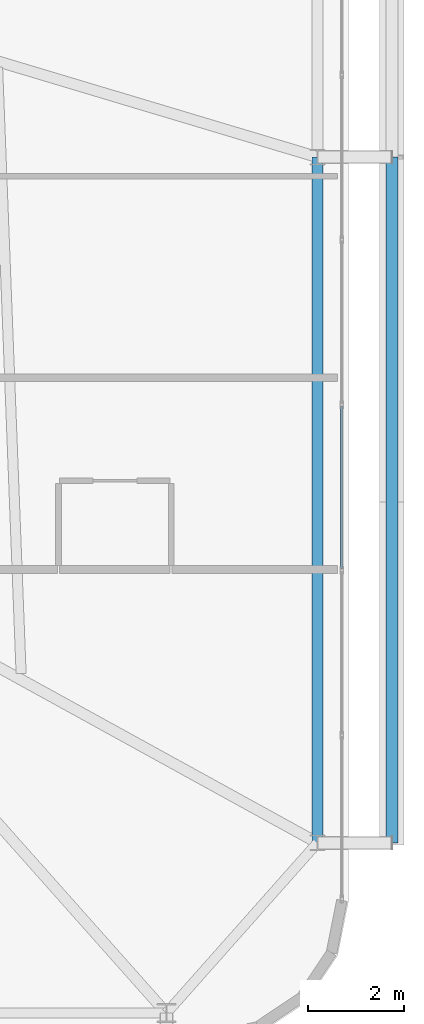
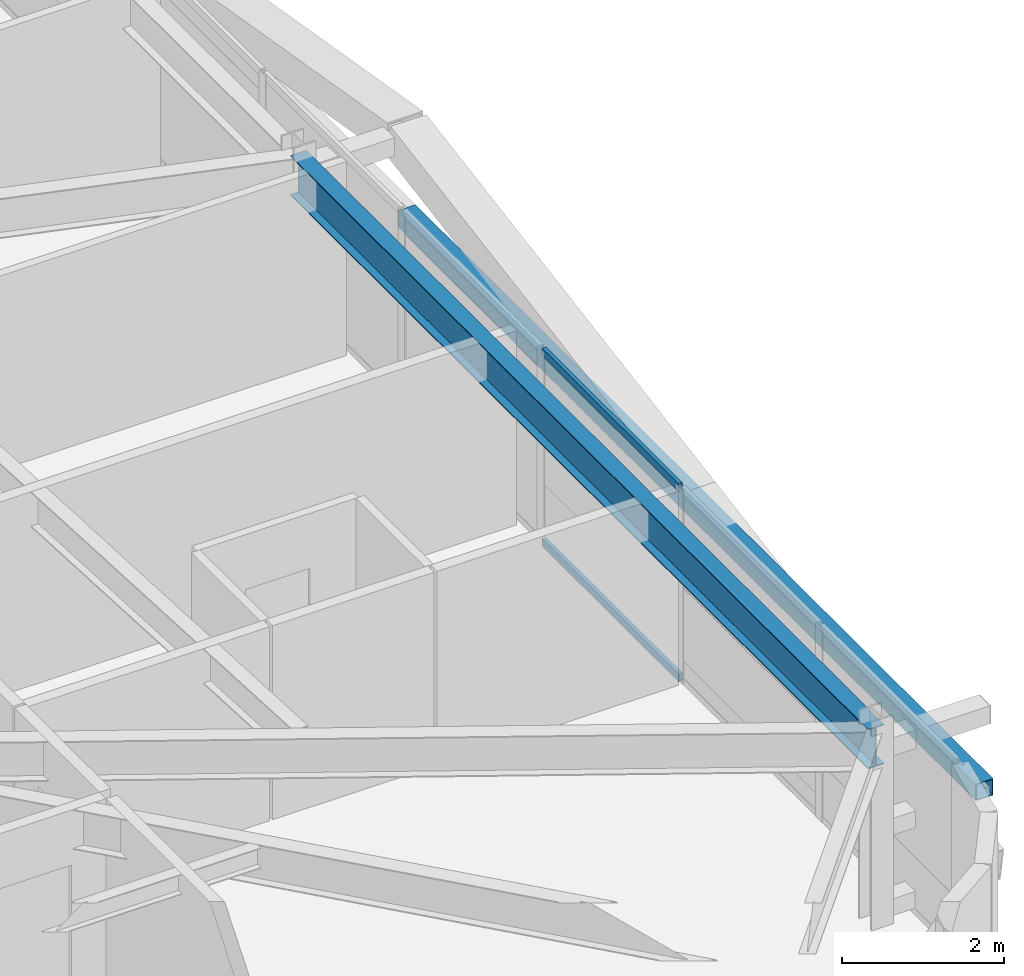
# One storey, part 27 of 59: 3 members, 1 beam, 1 element without a shape of its own.
"""IFC4 building model written with IfcOpenShell, lengths in metres."""

from ifc_helpers import new_model, si_unit, direction, frame, origin, origin_2d, place, context, subcontext, project, spatial, hollow_rectangle, i_section, extrude, source, transform, mapped, material, layer, layer_set, material_profile, profile_set, type_object, element, aggregate, save


model = new_model("IFC4")

# Units and contexts
model_context = context("Model", 3, precision=1e-05, world=origin(), true_north=direction((0.0, 1.0)))
body_context = subcontext(model_context, "Body", "Model", "MODEL_VIEW")
ifc_project = project(units=[si_unit("LENGTHUNIT", "METRE"), si_unit("AREAUNIT", "SQUARE_METRE"), si_unit("VOLUMEUNIT", "CUBIC_METRE"), si_unit("PLANEANGLEUNIT", "RADIAN"), si_unit("MASSUNIT", "GRAM", prefix="KILO")], contexts=[model_context])

# Site, building, storey
site_placement = place(None, origin())
site = spatial("IfcSite", under=ifc_project, at=site_placement, CompositionType="ELEMENT")
building_placement = place(site_placement, origin())
building = spatial("IfcBuilding", under=site, at=building_placement, Name="Taldren Reach Tower", CompositionType="ELEMENT")
storey_placement = place(building_placement, frame((0.0, 0.0, 23.10009765625)))
storey = spatial("IfcBuildingStorey", under=building, at=storey_placement, Name="L06", CompositionType="ELEMENT", Elevation=23.10009765625)

# Beam
ifc_material_1 = material(Name="Steel Gr 350 (350PLUS)", Category="steel")
ifc_material_profile_1 = material_profile(ifc_material_1, i_section(OverallWidth=0.22802734375, OverallDepth=0.60205078125, WebThickness=0.010498046875, FlangeThickness=0.014892578125, at=origin_2d()), Name="610UB101")
ifc_profile_set_1 = profile_set([ifc_material_profile_1], Name="Steel Gr 350 (350PLUS)")
beam_type = type_object("IfcBeamType", Name="BM-UB610B", PredefinedType="BEAM", material=ifc_profile_set_1)
shared_shape_1 = source(origin(), body_context, "Body", "SweptSolid", [
    extrude(i_section(OverallWidth=0.22802734375, OverallDepth=0.60205078125, WebThickness=0.010498046875, FlangeThickness=0.014892578125, at=origin_2d()), origin(), (0.0, 0.0, 1.0), 14.300048828125),
])
beam_placement = place(storey_placement, frame((64.35009765625, 5.699951171875, 2.62890625), z_axis=(0.0, 1.0, 0.0), x_axis=(-1.0, 0.0, 0.0)))
element("IfcBeam", 1, at=beam_placement, inside=storey, type_object=beam_type, Name="Perimeter gable girder B1 E1-E2 L06", PredefinedType="BEAM", context=body_context, shape_type="MappedRepresentation", body=[
    mapped(shared_shape_1, transform((0.0, 0.0, 0.0), scale=1.0)),
])

# Member
ifc_material_2 = material(Name="Steel Gr 350 (C350L0)", Category="steel")
ifc_material_profile_2 = material_profile(ifc_material_2, hollow_rectangle(XDim=0.25, YDim=0.25, WallThickness=0.010009765625, at=origin_2d()), Name="250x250x10.0SHS")
ifc_profile_set_2 = profile_set([ifc_material_profile_2], Name="Steel Gr 350 (C350L0)")
member_type_1 = type_object("IfcMemberType", Name="MB-POST250", PredefinedType="POST", material=ifc_profile_set_2)
shared_shape_2 = source(origin(), body_context, "Body", "SweptSolid", [
    extrude(hollow_rectangle(XDim=0.25, YDim=0.25, WallThickness=0.010009765625, at=origin_2d()), origin(), (0.0, 0.0, 1.0), 14.300048828125),
])
member_1_placement = place(storey_placement, frame((65.89990234375, 5.699951171875, 1.434814453125), z_axis=(0.0, 1.0, 0.0), x_axis=(-1.0, 0.0, 0.0)))
element("IfcMember", 2, at=member_1_placement, inside=storey, type_object=member_type_1, Name="Exoskeleton mid-height ring chord B1-E1 L06", PredefinedType="POST", context=body_context, shape_type="MappedRepresentation", body=[
    mapped(shared_shape_2, transform((0.0, 0.0, 0.0), scale=1.0)),
])

# Curtain wall, members
ifc_material_3 = material(Name="Aluminium and Low-E Glass Unitised System", Category="aluminium")
ifc_layer = layer(ifc_material_3, 0.159912109375)
ifc_layer_set = layer_set([ifc_layer], Name="Aluminium and Low-E Glass Unitised System")
curtain_wall_type = type_object("IfcCurtainWallType", Name="CW-SYS-2", PredefinedType="NOTDEFINED", material=ifc_layer_set)
curtain_wall_placement = place(storey_placement, origin())
curtain_wall = element("IfcCurtainWall", 3, at=curtain_wall_placement, inside=storey, type_object=curtain_wall_type, Name="Unitised curtain wall CW-L06-E", PredefinedType="NOTDEFINED")
ifc_material_4 = material(Name="Anodised Aluminium 6063-T6", Category="aluminium")
ifc_material_profile_3 = material_profile(ifc_material_4, hollow_rectangle(XDim=0.054931640625, YDim=0.1201171875, WallThickness=0.0029296875, at=origin_2d()), Name="ALU-120x55x3RHS")
ifc_profile_set_3 = profile_set([ifc_material_profile_3], Name="Anodised Aluminium 6063-T6")
member_type_2 = type_object("IfcMemberType", Name="CW-TRN-135", PredefinedType="USERDEFINED", material=ifc_profile_set_3)
shared_shape_3 = source(origin(), body_context, "Body", "SweptSolid", [
    extrude(hollow_rectangle(XDim=0.054931640625, YDim=0.1201171875, WallThickness=0.0029296875, at=origin_2d()), origin(), (0.0, 0.0, 1.0), 3.37939453125),
])
member_2_placement = place(storey_placement, frame((64.860107421875, 11.42138671875, 0.02734375), z_axis=(0.0, 1.0, 0.0), x_axis=(-1.0, 0.0, 0.0)))
member_2 = element("IfcMember", 4, at=member_2_placement, type_object=member_type_2, Name="CW-2 transom 3.1", ObjectType="TRANSOM", PredefinedType="USERDEFINED", context=body_context, shape_type="MappedRepresentation", body=[
    mapped(shared_shape_3, transform((0.0, 0.0, 0.0), scale=1.0)),
])
member_3_placement = place(storey_placement, frame((64.860107421875, 11.42138671875, 2.90234375), z_axis=(0.0, 1.0, 0.0), x_axis=(-1.0, 0.0, 0.0)))
member_3 = element("IfcMember", 5, at=member_3_placement, type_object=member_type_2, Name="CW-2 transom 3.2", ObjectType="TRANSOM", PredefinedType="USERDEFINED", context=body_context, shape_type="MappedRepresentation", body=[
    mapped(shared_shape_3, transform((0.0, 0.0, 0.0), scale=1.0)),
])
aggregate(curtain_wall, [member_2, member_3])

save(model, "model.ifc")
